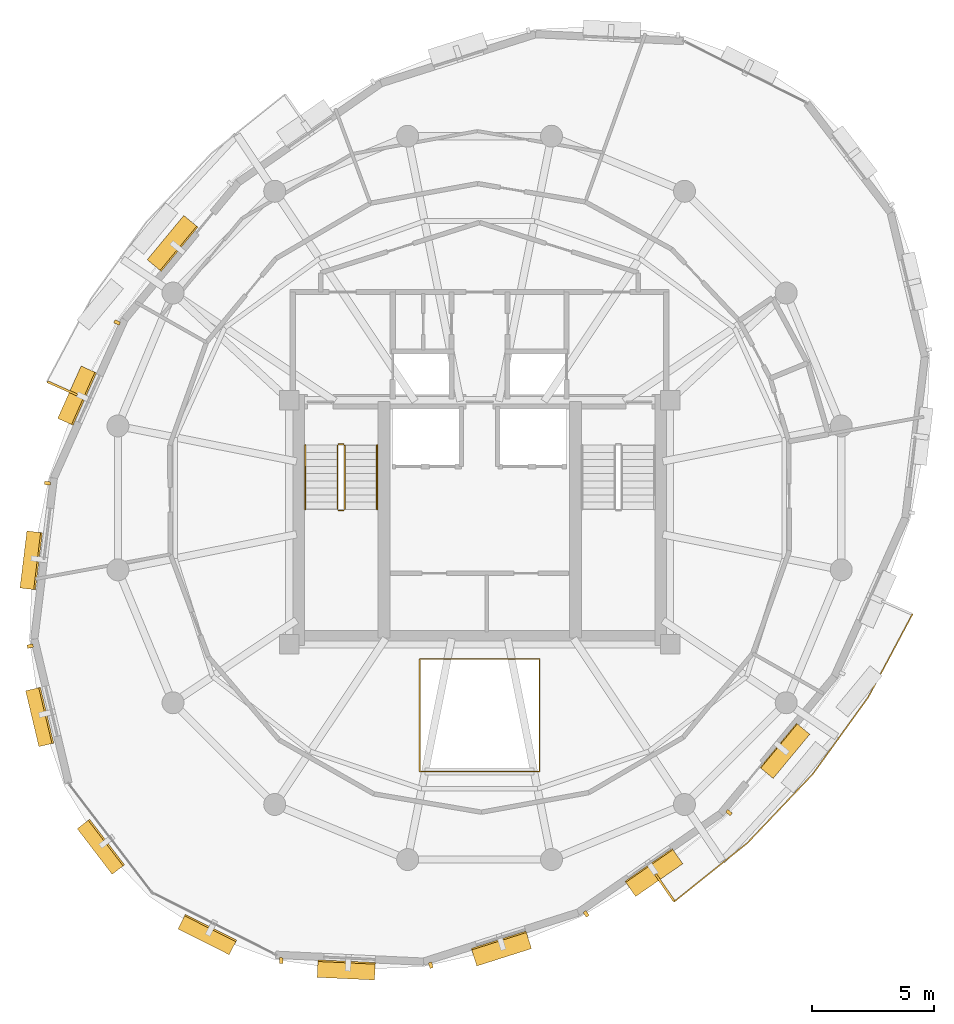
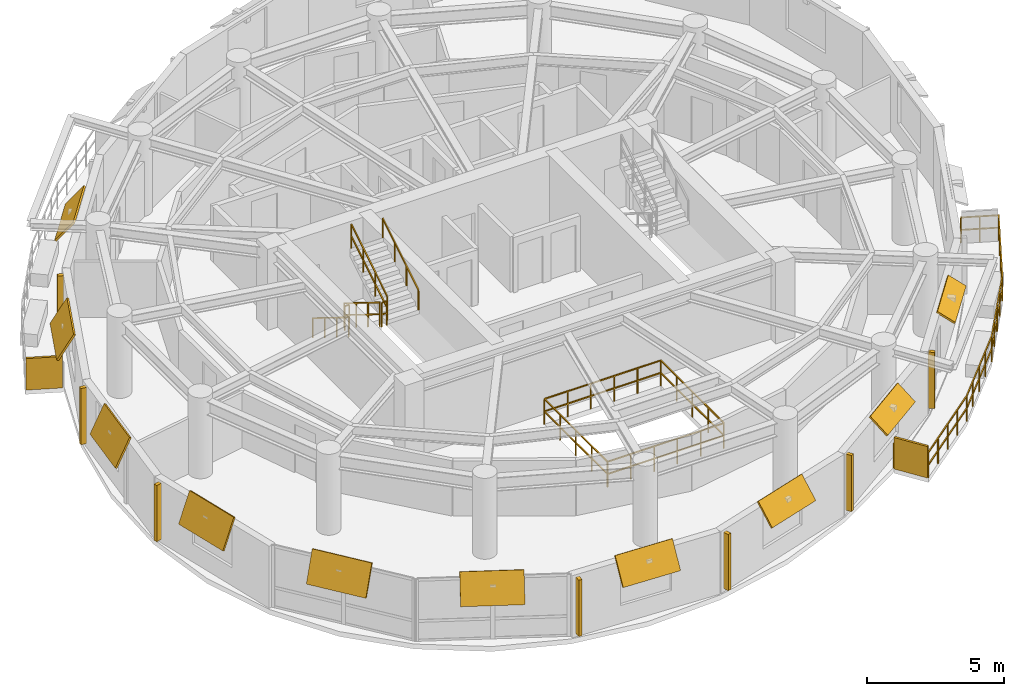
# One storey, part 10 of 11: 19 shading devices, 8 railings.
"""IFC4 building model written with IfcOpenShell, lengths in metres."""

import ifcopenshell
import ifcopenshell.guid

model = None  # the IFC model being written
_history = None  # IfcOwnerHistory: only IFC2X3 demands one
_inside = {}  # id of a spatial element -> (the spatial element, [elements in it])
_under = {}  # id of a project, library or spatial element -> (it, [spatial elements below it])
_declared = {}  # id of a project -> (the project, [libraries it declares])
_typed = {}  # id of a type object -> (the type object, [elements of that type])
_made_of = {}  # id of a material, layer set ... -> (it, [elements and type objects made of it])


def new_model(schema):
    """Start an empty IFC model of exactly this schema.

    Asked for "IFC4X3", IfcOpenShell would pick the latest addendum, in which some entities
    have other attributes; the version numbers below select the first issue.
    IFC2X3 requires an IfcOwnerHistory on every rooted entity: one is made here for all.
    """
    global model, _history
    if schema == "IFC4X3":
        model = ifcopenshell.file(schema_version=(4, 3, 0, 0))
    else:
        model = ifcopenshell.file(schema=schema)
    _inside.clear()
    _under.clear()
    _declared.clear()
    _typed.clear()
    _made_of.clear()
    _history = None
    if model.schema == "IFC2X3":
        org = make("IfcOrganization", Name="unknown")
        user = make(
            "IfcPersonAndOrganization",
            ThePerson=make("IfcPerson", FamilyName="unknown"),
            TheOrganization=org,
        )
        app = make(
            "IfcApplication",
            ApplicationDeveloper=org,
            Version="unknown",
            ApplicationFullName="unknown",
            ApplicationIdentifier="unknown",
        )
        _history = make(
            "IfcOwnerHistory",
            OwningUser=user,
            OwningApplication=app,
            ChangeAction="ADDED",
            CreationDate=0,
        )
    return model


def make(cls, **values):
    """One entity of the class cls with the attributes given. An attribute that is None is left unset."""
    return model.create_entity(
        cls, **{name: value for name, value in values.items() if value is not None}
    )


def rooted(cls, **values):
    """An entity with a GlobalId (a new one), such as an element, a storey or a relation."""
    return make(cls, GlobalId=ifcopenshell.guid.new(), OwnerHistory=_history, **values)


def si_unit(unit_type, name, prefix=None):
    """IfcSIUnit, for example si_unit("LENGTHUNIT", "METRE", prefix="MILLI")."""
    return make("IfcSIUnit", UnitType=unit_type, Prefix=prefix, Name=name)


def assignment(units):
    """IfcUnitAssignment: the units of a project."""
    return None if units is None else make("IfcUnitAssignment", Units=units)


def point(xyz):
    """IfcCartesianPoint."""
    return None if xyz is None else make("IfcCartesianPoint", Coordinates=xyz)


def direction(xyz):
    """IfcDirection."""
    return None if xyz is None else make("IfcDirection", DirectionRatios=xyz)


def frame(location, z_axis=None, x_axis=None):
    """IfcAxis2Placement3D, a coordinate frame: its origin and axes. An axis left out is left unset."""
    return make(
        "IfcAxis2Placement3D",
        Location=point(location),
        Axis=direction(z_axis),
        RefDirection=direction(x_axis),
    )


def frame_2d(location, x_axis=None):
    """IfcAxis2Placement2D, a coordinate frame in the plane: its origin and x axis."""
    return make(
        "IfcAxis2Placement2D", Location=point(location), RefDirection=direction(x_axis)
    )


def origin():
    """The frame at (0, 0, 0) with its axes left unset."""
    return frame((0.0, 0.0, 0.0))


def origin_2d():
    """The frame at (0, 0) in the plane with its x axis left unset."""
    return frame_2d((0.0, 0.0))


def place(relative_to, where):
    """IfcLocalPlacement: puts the frame where relative to a parent placement (None: the world)."""
    return make(
        "IfcLocalPlacement", PlacementRelTo=relative_to, RelativePlacement=where
    )


def context(
    kind, dimensions, precision=None, world=None, true_north=None, identifier=None
):
    """IfcGeometricRepresentationContext, for example the 3D "Model" context."""
    return make(
        "IfcGeometricRepresentationContext",
        ContextIdentifier=identifier,
        ContextType=kind,
        CoordinateSpaceDimension=dimensions,
        Precision=precision,
        WorldCoordinateSystem=world,
        TrueNorth=true_north,
    )


def subcontext(parent, identifier, kind, view, scale=None):
    """IfcGeometricRepresentationSubContext, for example "Body" below "Model"."""
    return make(
        "IfcGeometricRepresentationSubContext",
        ContextIdentifier=identifier,
        ContextType=kind,
        ParentContext=parent,
        TargetScale=scale,
        TargetView=view,
    )


def project(units=None, contexts=None):
    """IfcProject with its units and contexts."""
    return rooted(
        "IfcProject",
        Name="project",
        RepresentationContexts=contexts,
        UnitsInContext=assignment(units),
    )


def spatial(cls, under=None, at=None, **own):
    """A site, building, storey or space (cls), placed at a placement, below another one or the project."""
    s = rooted(cls, ObjectPlacement=at, **own)
    if under is not None:
        _under.setdefault(under.id(), (under, []))[1].append(s)
    return s


def profile(cls, at=None, kind="AREA", **sizes):
    """A parametric profile (cls). Its sizes go by their IFC names, for example OverallWidth=200.0."""
    return make(cls, ProfileType=kind, Position=at, **sizes)


def rectangle(**sizes):
    """IfcRectangleProfileDef."""
    return profile("IfcRectangleProfileDef", **sizes)


def extrude(swept, where, along, depth):
    """IfcExtrudedAreaSolid: the profile swept, set in the frame where, extruded along a direction by depth."""
    return make(
        "IfcExtrudedAreaSolid",
        SweptArea=swept,
        Position=where,
        ExtrudedDirection=direction(along),
        Depth=depth,
    )


def shape(context_of_items, identifier, shape_type, items):
    """IfcShapeRepresentation: the items that make up one representation, for example the "Body"."""
    return make(
        "IfcShapeRepresentation",
        ContextOfItems=context_of_items,
        RepresentationIdentifier=identifier,
        RepresentationType=shape_type,
        Items=items,
    )


def material(Name=None, Category=None):
    """IfcMaterial."""
    return make("IfcMaterial", Name=Name, Category=Category)


def layer(
    of_material, thickness, ventilated=None, Name=None, Category=None, Priority=None
):
    """IfcMaterialLayer: one layer of a wall or slab, of a material (None: an air gap)."""
    return make(
        "IfcMaterialLayer",
        Material=of_material,
        LayerThickness=thickness,
        IsVentilated=ventilated,
        Name=Name,
        Category=Category,
        Priority=Priority,
    )


def layer_set(layers, Name=None):
    """IfcMaterialLayerSet."""
    return make("IfcMaterialLayerSet", MaterialLayers=layers, LayerSetName=Name)


def made_of(thing, what):
    """Note that an element or type object is made of a material, layer set ...; save() writes the relation."""
    if what is not None:
        _made_of.setdefault(what.id(), (what, []))[1].append(thing)
    return thing


def type_object(cls, material=None, **own):
    """A type object (cls), such as IfcWallType, which elements share."""
    return made_of(rooted(cls, **own), material)


def element(
    cls,
    number,
    at=None,
    inside=None,
    cuts=None,
    type_object=None,
    material=None,
    context=None,
    identifier="Body",
    shape_type=None,
    held_by="IfcProductDefinitionShape",
    body=None,
    shapes=None,
    **own,
):
    """One element of the class cls, such as IfcWall. Its Tag is "e" and its number.

    at: its placement. inside: the storey or other place that contains it. cuts: it is an
    opening in that element (IfcRelVoidsElement). A single representation is given by context,
    identifier, shape_type and body (its items); several are given by shapes. held_by: the class
    of the entity that holds the representations. save() writes the other relations.
    """
    e = rooted(cls, Tag="e%d" % number, ObjectPlacement=at, **own)
    if body is not None:
        shapes = [shape(context, identifier, shape_type, body)]
    if shapes is not None:
        e.Representation = make(held_by, Representations=shapes)
    if inside is not None:
        _inside.setdefault(inside.id(), (inside, []))[1].append(e)
    if cuts is not None:
        rooted(
            "IfcRelVoidsElement", RelatingBuildingElement=cuts, RelatedOpeningElement=e
        )
    if type_object is not None:
        _typed.setdefault(type_object.id(), (type_object, []))[1].append(e)
    return made_of(e, material)


def aggregate(whole, parts):
    """IfcRelAggregates: a whole, such as a stair, and the parts it consists of."""
    return rooted("IfcRelAggregates", RelatingObject=whole, RelatedObjects=parts)


def save(model, path):
    """Write the relations noted so far, then the file.

    IfcRelAggregates (storeys below a building ...), IfcRelContainedInSpatialStructure (elements
    in a storey), IfcRelDefinesByType, IfcRelAssociatesMaterial and IfcRelDeclares: one each for
    every whole, place, type object, material and project.
    """
    for whole, parts in _under.values():
        aggregate(whole, parts)
    for where, things in _inside.values():
        rooted(
            "IfcRelContainedInSpatialStructure",
            RelatedElements=things,
            RelatingStructure=where,
        )
    for kind, things in _typed.values():
        rooted("IfcRelDefinesByType", RelatedObjects=things, RelatingType=kind)
    for what, things in _made_of.values():
        rooted("IfcRelAssociatesMaterial", RelatedObjects=things, RelatingMaterial=what)
    for by, libraries in _declared.values():
        rooted("IfcRelDeclares", RelatingContext=by, RelatedDefinitions=libraries)
    model.write(path)


model = new_model("IFC4")

# Units and contexts
model_context = context("Model", 3, precision=1e-05, world=origin(), true_north=direction((0.0, 1.0)))
body_context = subcontext(model_context, "Body", "Model", "MODEL_VIEW")
ifc_project = project(units=[si_unit("LENGTHUNIT", "METRE"), si_unit("AREAUNIT", "SQUARE_METRE"), si_unit("VOLUMEUNIT", "CUBIC_METRE"), si_unit("PLANEANGLEUNIT", "RADIAN"), si_unit("MASSUNIT", "GRAM", prefix="KILO"), si_unit("THERMODYNAMICTEMPERATUREUNIT", "KELVIN"), si_unit("POWERUNIT", "WATT")], contexts=[model_context])

# Site, building, storey
site_placement = place(None, origin())
site = spatial("IfcSite", under=ifc_project, at=site_placement, CompositionType="ELEMENT")
building_placement = place(site_placement, origin())
building = spatial("IfcBuilding", under=site, at=building_placement, Name="Ocrelia Relay Tower", CompositionType="ELEMENT")
storey_placement = place(building_placement, frame((0.0, 0.0, 241.199951171875)))
storey = spatial("IfcBuildingStorey", under=building, at=storey_placement, Name="L59", CompositionType="ELEMENT", Elevation=241.199951171875)

# Railings
ifc_material_1 = material(Name="Steel S355 balustrade", Category="steel")
railing_type_1 = type_object("IfcRailingType", Name="RL-EXT-GUARD-1150", PredefinedType="GUARDRAIL", material=ifc_material_1)
railing_1_placement = place(storey_placement, frame((50.447509765625, 21.796875, 0.0)))
element("IfcRailing", 1, at=railing_1_placement, inside=storey, type_object=railing_type_1, Name="L59 Loggia Balcony Guard Rail B2", PredefinedType="GUARDRAIL", context=body_context, shape_type="SweptSolid", body=[
    extrude(rectangle(XDim=0.048095703125, YDim=0.048095703125, at=origin_2d()), frame((0.0, 0.0, 1.1259765625), z_axis=(0.913760972892, -0.406252242357, 0.0), x_axis=(0.406252242357, 0.913760972892, 0.0)), (0.0, 0.0, 1.0), 1.3935546875),
    extrude(rectangle(XDim=0.048095703125, YDim=0.048095703125, at=origin_2d()), frame((0.0, 0.0, 0.574951171875), z_axis=(0.913760972892, -0.406252242357, 0.0), x_axis=(0.406252242357, 0.913760972892, 0.0)), (0.0, 0.0, 1.0), 1.3935546875),
    extrude(rectangle(XDim=0.048095703125, YDim=0.048095703125, at=origin_2d()), frame((1.2734375, -0.566162109375, 1.1259765625), z_axis=(-0.469545514332, -0.882908268152, 0.0), x_axis=(0.882908268152, -0.469545514332, 0.0)), (0.0, 0.0, 1.0), 1.920654296875),
    extrude(rectangle(XDim=0.048095703125, YDim=0.048095703125, at=origin_2d()), frame((1.2734375, -0.566162109375, 0.574951171875), z_axis=(-0.469545514332, -0.882908268152, 0.0), x_axis=(0.882908268152, -0.469545514332, 0.0)), (0.0, 0.0, 1.0), 1.920654296875),
    extrude(rectangle(XDim=0.048095703125, YDim=0.048095703125, at=origin_2d()), frame((0.37158203125, -2.261962890625, 1.1259765625), z_axis=(-0.46969729686, -0.882827530904, 0.0), x_axis=(0.882827530904, -0.46969729686, 0.0)), (0.0, 0.0, 1.0), 1.920654296875),
    extrude(rectangle(XDim=0.048095703125, YDim=0.048095703125, at=origin_2d()), frame((0.37158203125, -2.261962890625, 0.574951171875), z_axis=(-0.46969729686, -0.882827530904, 0.0), x_axis=(0.882827530904, -0.46969729686, 0.0)), (0.0, 0.0, 1.0), 1.920654296875),
    extrude(rectangle(XDim=0.048095703125, YDim=0.048095703125, at=origin_2d()), frame((-0.530517578125, -3.95751953125, 1.1259765625), z_axis=(-0.585003655998, -0.811030654457, 0.0), x_axis=(0.811030654457, -0.585003655998, 0.0)), (0.0, 0.0, 1.0), 3.882080078125),
    extrude(rectangle(XDim=0.048095703125, YDim=0.048095703125, at=origin_2d()), frame((-0.530517578125, -3.95751953125, 0.574951171875), z_axis=(-0.585003655998, -0.811030654457, 0.0), x_axis=(0.811030654457, -0.585003655998, 0.0)), (0.0, 0.0, 1.0), 3.882080078125),
    extrude(rectangle(XDim=0.048095703125, YDim=0.048095703125, at=origin_2d()), frame((-2.801513671875, -7.10595703125, 1.1259765625), z_axis=(-0.68830965724, -0.72541699439, 0.0), x_axis=(0.72541699439, -0.68830965724, 0.0)), (0.0, 0.0, 1.0), 3.8818359375),
    extrude(rectangle(XDim=0.048095703125, YDim=0.048095703125, at=origin_2d()), frame((-2.801513671875, -7.10595703125, 0.574951171875), z_axis=(-0.68830965724, -0.72541699439, 0.0), x_axis=(0.72541699439, -0.68830965724, 0.0)), (0.0, 0.0, 1.0), 3.8818359375),
    extrude(rectangle(XDim=0.048095703125, YDim=0.048095703125, at=origin_2d()), frame((-5.473388671875, -9.921875, 1.1259765625), z_axis=(-0.780322872437, -0.625376858184, 0.0), x_axis=(0.625376858184, -0.780322872437, 0.0)), (0.0, 0.0, 1.0), 1.920654296875),
    extrude(rectangle(XDim=0.048095703125, YDim=0.048095703125, at=origin_2d()), frame((-5.473388671875, -9.921875, 0.574951171875), z_axis=(-0.780322872437, -0.625376858184, 0.0), x_axis=(0.625376858184, -0.780322872437, 0.0)), (0.0, 0.0, 1.0), 1.920654296875),
    extrude(rectangle(XDim=0.048095703125, YDim=0.048095703125, at=origin_2d()), frame((-6.97216796875, -11.123046875, 1.1259765625), z_axis=(-0.780372576936, -0.625314833636, 0.0), x_axis=(0.625314833636, -0.780372576936, 0.0)), (0.0, 0.0, 1.0), 1.9208984375),
    extrude(rectangle(XDim=0.048095703125, YDim=0.048095703125, at=origin_2d()), frame((-6.97216796875, -11.123046875, 0.574951171875), z_axis=(-0.780372576936, -0.625314833636, 0.0), x_axis=(0.625314833636, -0.780372576936, 0.0)), (0.0, 0.0, 1.0), 1.9208984375),
    extrude(rectangle(XDim=0.048095703125, YDim=0.048095703125, at=origin_2d()), frame((-8.47119140625, -12.32421875, 1.1259765625), z_axis=(-0.568690580372, 0.822551532608, 0.0), x_axis=(-0.822551532608, -0.568690580372, 0.0)), (0.0, 0.0, 1.0), 1.3935546875),
    extrude(rectangle(XDim=0.048095703125, YDim=0.048095703125, at=origin_2d()), frame((-8.47119140625, -12.32421875, 0.574951171875), z_axis=(-0.568690580372, 0.822551532608, 0.0), x_axis=(-0.822551532608, -0.568690580372, 0.0)), (0.0, 0.0, 1.0), 1.3935546875),
    extrude(rectangle(XDim=0.0419921875, YDim=0.0419921875, at=origin_2d()), origin(), (0.0, 0.0, 1.0), 1.101806640625),
    extrude(rectangle(XDim=0.0419921875, YDim=0.0419921875, at=origin_2d()), frame((0.63671875, -0.283203125, 0.0)), (0.0, 0.0, 1.0), 1.101806640625),
    extrude(rectangle(XDim=0.0419921875, YDim=0.0419921875, at=origin_2d()), frame((1.2734375, -0.566162109375, 0.0)), (0.0, 0.0, 1.0), 1.101806640625),
    extrude(rectangle(XDim=0.0419921875, YDim=0.0419921875, at=origin_2d()), frame((0.822509765625, -1.4140625, 0.0)), (0.0, 0.0, 1.0), 1.101806640625),
    extrude(rectangle(XDim=0.0419921875, YDim=0.0419921875, at=origin_2d()), frame((0.37158203125, -2.261962890625, 0.0)), (0.0, 0.0, 1.0), 1.101806640625),
    extrude(rectangle(XDim=0.0419921875, YDim=0.0419921875, at=origin_2d()), frame((-0.07958984375, -3.10986328125, 0.0)), (0.0, 0.0, 1.0), 1.101806640625),
    extrude(rectangle(XDim=0.0419921875, YDim=0.0419921875, at=origin_2d()), frame((-0.530517578125, -3.95751953125, 0.0)), (0.0, 0.0, 1.0), 1.101806640625),
    extrude(rectangle(XDim=0.0419921875, YDim=0.0419921875, at=origin_2d()), frame((-1.09814453125, -4.74462890625, 0.0)), (0.0, 0.0, 1.0), 1.101806640625),
    extrude(rectangle(XDim=0.0419921875, YDim=0.0419921875, at=origin_2d()), frame((-1.666015625, -5.53173828125, 0.0)), (0.0, 0.0, 1.0), 1.101806640625),
    extrude(rectangle(XDim=0.0419921875, YDim=0.0419921875, at=origin_2d()), frame((-2.23388671875, -6.31884765625, 0.0)), (0.0, 0.0, 1.0), 1.101806640625),
    extrude(rectangle(XDim=0.0419921875, YDim=0.0419921875, at=origin_2d()), frame((-2.801513671875, -7.10595703125, 0.0)), (0.0, 0.0, 1.0), 1.101806640625),
    extrude(rectangle(XDim=0.0419921875, YDim=0.0419921875, at=origin_2d()), frame((-3.469482421875, -7.81005859375, 0.0)), (0.0, 0.0, 1.0), 1.101806640625),
    extrude(rectangle(XDim=0.0419921875, YDim=0.0419921875, at=origin_2d()), frame((-4.137451171875, -8.513916015625, 0.0)), (0.0, 0.0, 1.0), 1.101806640625),
    extrude(rectangle(XDim=0.0419921875, YDim=0.0419921875, at=origin_2d()), frame((-4.805419921875, -9.2177734375, 0.0)), (0.0, 0.0, 1.0), 1.101806640625),
    extrude(rectangle(XDim=0.0419921875, YDim=0.0419921875, at=origin_2d()), frame((-5.473388671875, -9.921875, 0.0)), (0.0, 0.0, 1.0), 1.101806640625),
    extrude(rectangle(XDim=0.0419921875, YDim=0.0419921875, at=origin_2d()), frame((-6.22265625, -10.5224609375, 0.0)), (0.0, 0.0, 1.0), 1.101806640625),
    extrude(rectangle(XDim=0.0419921875, YDim=0.0419921875, at=origin_2d()), frame((-6.97216796875, -11.123046875, 0.0)), (0.0, 0.0, 1.0), 1.101806640625),
    extrude(rectangle(XDim=0.0419921875, YDim=0.0419921875, at=origin_2d()), frame((-7.7216796875, -11.7236328125, 0.0)), (0.0, 0.0, 1.0), 1.101806640625),
    extrude(rectangle(XDim=0.0419921875, YDim=0.0419921875, at=origin_2d()), frame((-8.47119140625, -12.32421875, 0.0)), (0.0, 0.0, 1.0), 1.101806640625),
    extrude(rectangle(XDim=0.0419921875, YDim=0.0419921875, at=origin_2d()), frame((-8.867431640625, -11.7509765625, 0.0)), (0.0, 0.0, 1.0), 1.101806640625),
    extrude(rectangle(XDim=0.0419921875, YDim=0.0419921875, at=origin_2d()), frame((-9.263671875, -11.177978515625, 0.0)), (0.0, 0.0, 1.0), 1.101806640625),
])
ifc_material_2 = material(Name="Steel S355 atrium balustrade", Category="steel")
railing_type_2 = type_object("IfcRailingType", Name="RL-INT-GUARD-115", PredefinedType="GUARDRAIL", material=ifc_material_2)
railing_2_placement = place(storey_placement, frame((31.550048828125, 14.800048828125, 0.0)))
element("IfcRailing", 2, at=railing_2_placement, inside=storey, type_object=railing_type_2, Name="L59 Multi-Zone Interior Atrium Guard", PredefinedType="GUARDRAIL", context=body_context, shape_type="SweptSolid", body=[
    extrude(rectangle(XDim=0.048095703125, YDim=0.048095703125, at=origin_2d()), frame((0.0, 0.0, 1.1259765625), z_axis=(1.0, 0.0, 0.0), x_axis=(0.0, 1.0, 0.0)), (0.0, 0.0, 1.0), 4.89990234375),
    extrude(rectangle(XDim=0.048095703125, YDim=0.048095703125, at=origin_2d()), frame((0.0, 0.0, 0.574951171875), z_axis=(1.0, 0.0, 0.0), x_axis=(0.0, 1.0, 0.0)), (0.0, 0.0, 1.0), 4.89990234375),
    extrude(rectangle(XDim=0.048095703125, YDim=0.048095703125, at=origin_2d()), frame((4.89990234375, 0.0, 1.1259765625), z_axis=(0.0, 1.0, 0.0), x_axis=(-1.0, 0.0, 0.0)), (0.0, 0.0, 1.0), 4.599853515625),
    extrude(rectangle(XDim=0.048095703125, YDim=0.048095703125, at=origin_2d()), frame((4.89990234375, 0.0, 0.574951171875), z_axis=(0.0, 1.0, 0.0), x_axis=(-1.0, 0.0, 0.0)), (0.0, 0.0, 1.0), 4.599853515625),
    extrude(rectangle(XDim=0.048095703125, YDim=0.048095703125, at=origin_2d()), frame((4.89990234375, 4.599853515625, 1.1259765625), z_axis=(-1.0, 0.0, 0.0), x_axis=(0.0, -1.0, 0.0)), (0.0, 0.0, 1.0), 4.89990234375),
    extrude(rectangle(XDim=0.048095703125, YDim=0.048095703125, at=origin_2d()), frame((4.89990234375, 4.599853515625, 0.574951171875), z_axis=(-1.0, 0.0, 0.0), x_axis=(0.0, -1.0, 0.0)), (0.0, 0.0, 1.0), 4.89990234375),
    extrude(rectangle(XDim=0.048095703125, YDim=0.048095703125, at=origin_2d()), frame((0.0, 4.599853515625, 1.1259765625), z_axis=(0.0, -1.0, 0.0), x_axis=(1.0, 0.0, 0.0)), (0.0, 0.0, 1.0), 4.599853515625),
    extrude(rectangle(XDim=0.048095703125, YDim=0.048095703125, at=origin_2d()), frame((0.0, 4.599853515625, 0.574951171875), z_axis=(0.0, -1.0, 0.0), x_axis=(1.0, 0.0, 0.0)), (0.0, 0.0, 1.0), 4.599853515625),
    extrude(rectangle(XDim=0.0419921875, YDim=0.0419921875, at=origin_2d()), origin(), (0.0, 0.0, 1.0), 1.101806640625),
    extrude(rectangle(XDim=0.0419921875, YDim=0.0419921875, at=origin_2d()), frame((0.97998046875, 0.0, 0.0)), (0.0, 0.0, 1.0), 1.101806640625),
    extrude(rectangle(XDim=0.0419921875, YDim=0.0419921875, at=origin_2d()), frame((1.9599609375, 0.0, 0.0)), (0.0, 0.0, 1.0), 1.101806640625),
    extrude(rectangle(XDim=0.0419921875, YDim=0.0419921875, at=origin_2d()), frame((2.93994140625, 0.0, 0.0)), (0.0, 0.0, 1.0), 1.101806640625),
    extrude(rectangle(XDim=0.0419921875, YDim=0.0419921875, at=origin_2d()), frame((3.919921875, 0.0, 0.0)), (0.0, 0.0, 1.0), 1.101806640625),
    extrude(rectangle(XDim=0.0419921875, YDim=0.0419921875, at=origin_2d()), frame((4.89990234375, 0.0, 0.0)), (0.0, 0.0, 1.0), 1.101806640625),
    extrude(rectangle(XDim=0.0419921875, YDim=0.0419921875, at=origin_2d()), frame((4.89990234375, 1.14990234375, 0.0)), (0.0, 0.0, 1.0), 1.101806640625),
    extrude(rectangle(XDim=0.0419921875, YDim=0.0419921875, at=origin_2d()), frame((4.89990234375, 2.2998046875, 0.0)), (0.0, 0.0, 1.0), 1.101806640625),
    extrude(rectangle(XDim=0.0419921875, YDim=0.0419921875, at=origin_2d()), frame((4.89990234375, 3.449951171875, 0.0)), (0.0, 0.0, 1.0), 1.101806640625),
    extrude(rectangle(XDim=0.0419921875, YDim=0.0419921875, at=origin_2d()), frame((4.89990234375, 4.599853515625, 0.0)), (0.0, 0.0, 1.0), 1.101806640625),
    extrude(rectangle(XDim=0.0419921875, YDim=0.0419921875, at=origin_2d()), frame((3.919921875, 4.599853515625, 0.0)), (0.0, 0.0, 1.0), 1.101806640625),
    extrude(rectangle(XDim=0.0419921875, YDim=0.0419921875, at=origin_2d()), frame((2.93994140625, 4.599853515625, 0.0)), (0.0, 0.0, 1.0), 1.101806640625),
    extrude(rectangle(XDim=0.0419921875, YDim=0.0419921875, at=origin_2d()), frame((1.9599609375, 4.599853515625, 0.0)), (0.0, 0.0, 1.0), 1.101806640625),
    extrude(rectangle(XDim=0.0419921875, YDim=0.0419921875, at=origin_2d()), frame((0.97998046875, 4.599853515625, 0.0)), (0.0, 0.0, 1.0), 1.101806640625),
    extrude(rectangle(XDim=0.0419921875, YDim=0.0419921875, at=origin_2d()), frame((0.0, 4.599853515625, 0.0)), (0.0, 0.0, 1.0), 1.101806640625),
    extrude(rectangle(XDim=0.0419921875, YDim=0.0419921875, at=origin_2d()), frame((0.0, 3.449951171875, 0.0)), (0.0, 0.0, 1.0), 1.101806640625),
    extrude(rectangle(XDim=0.0419921875, YDim=0.0419921875, at=origin_2d()), frame((0.0, 2.2998046875, 0.0)), (0.0, 0.0, 1.0), 1.101806640625),
    extrude(rectangle(XDim=0.0419921875, YDim=0.0419921875, at=origin_2d()), frame((0.0, 1.14990234375, 0.0)), (0.0, 0.0, 1.0), 1.101806640625),
])
railing_type_3 = type_object("IfcRailingType", Name="RL-STAIR-GUARD", PredefinedType="GUARDRAIL", material=ifc_material_1)
railing_3_placement = place(storey_placement, frame((28.179931640625, 28.14990234375, 0.179931640625)))
element("IfcRailing", 3, at=railing_3_placement, inside=storey, type_object=railing_type_3, Name="L59 ST1 stair guard 1", PredefinedType="GUARDRAIL", context=body_context, shape_type="SweptSolid", body=[
    extrude(rectangle(XDim=0.048095703125, YDim=0.048095703125, at=origin_2d()), frame((0.0, 0.0, 1.076171875), z_axis=(0.0, -0.849610693518, 0.52741034258), x_axis=(1.0, 0.0, 0.0)), (0.0, 0.0, 1.0), 3.07177734375),
    extrude(rectangle(XDim=0.048095703125, YDim=0.048095703125, at=origin_2d()), frame((0.0, 0.0, 0.550048828125), z_axis=(0.0, -0.849610693518, 0.52741034258), x_axis=(1.0, 0.0, 0.0)), (0.0, 0.0, 1.0), 3.07177734375),
    extrude(rectangle(XDim=0.0419921875, YDim=0.0419921875, at=origin_2d()), origin(), (0.0, 0.0, 1.0), 1.052001953125),
    extrude(rectangle(XDim=0.0419921875, YDim=0.0419921875, at=origin_2d()), frame((0.0, -0.869873046875, 0.5400390625)), (0.0, 0.0, 1.0), 1.052001953125),
    extrude(rectangle(XDim=0.0419921875, YDim=0.0419921875, at=origin_2d()), frame((0.0, -1.739990234375, 1.080078125)), (0.0, 0.0, 1.0), 1.052001953125),
    extrude(rectangle(XDim=0.0419921875, YDim=0.0419921875, at=origin_2d()), frame((0.0, -2.60986328125, 1.6201171875)), (0.0, 0.0, 1.0), 1.052001953125),
])
railing_4_placement = place(storey_placement, frame((28.22998046875, 25.489990234375, 1.800048828125)))
element("IfcRailing", 4, at=railing_4_placement, inside=storey, type_object=railing_type_3, Name="L59 ST1 stair guard 2", PredefinedType="GUARDRAIL", context=body_context, shape_type="SweptSolid", body=[
    extrude(rectangle(XDim=0.048095703125, YDim=0.048095703125, at=origin_2d()), frame((0.0, 0.0, 1.076171875), z_axis=(1.0, 0.0, 0.0), x_axis=(0.0, 1.0, 0.0)), (0.0, 0.0, 1.0), 0.199951171875),
    extrude(rectangle(XDim=0.048095703125, YDim=0.048095703125, at=origin_2d()), frame((0.0, 0.0, 0.550048828125), z_axis=(1.0, 0.0, 0.0), x_axis=(0.0, 1.0, 0.0)), (0.0, 0.0, 1.0), 0.199951171875),
    extrude(rectangle(XDim=0.0419921875, YDim=0.0419921875, at=origin_2d()), origin(), (0.0, 0.0, 1.0), 1.052001953125),
    extrude(rectangle(XDim=0.0419921875, YDim=0.0419921875, at=origin_2d()), frame((0.199951171875, 0.0, 0.0)), (0.0, 0.0, 1.0), 1.052001953125),
])
railing_5_placement = place(storey_placement, frame((28.47998046875, 25.5400390625, 1.97998046875)))
element("IfcRailing", 5, at=railing_5_placement, inside=storey, type_object=railing_type_3, Name="L59 ST1 stair guard 3", PredefinedType="GUARDRAIL", context=body_context, shape_type="SweptSolid", body=[
    extrude(rectangle(XDim=0.048095703125, YDim=0.048095703125, at=origin_2d()), frame((0.0, 0.0, 1.076171875), z_axis=(0.0, 0.849610693518, 0.52741034258), x_axis=(-1.0, 0.0, 0.0)), (0.0, 0.0, 1.0), 3.07177734375),
    extrude(rectangle(XDim=0.048095703125, YDim=0.048095703125, at=origin_2d()), frame((0.0, 0.0, 0.550048828125), z_axis=(0.0, 0.849610693518, 0.52741034258), x_axis=(-1.0, 0.0, 0.0)), (0.0, 0.0, 1.0), 3.07177734375),
    extrude(rectangle(XDim=0.0419921875, YDim=0.0419921875, at=origin_2d()), origin(), (0.0, 0.0, 1.0), 1.052001953125),
    extrude(rectangle(XDim=0.0419921875, YDim=0.0419921875, at=origin_2d()), frame((0.0, 0.869873046875, 0.5400390625)), (0.0, 0.0, 1.0), 1.052001953125),
    extrude(rectangle(XDim=0.0419921875, YDim=0.0419921875, at=origin_2d()), frame((0.0, 1.739990234375, 1.080078125)), (0.0, 0.0, 1.0), 1.052001953125),
    extrude(rectangle(XDim=0.0419921875, YDim=0.0419921875, at=origin_2d()), frame((0.0, 2.60986328125, 1.6201171875)), (0.0, 0.0, 1.0), 1.052001953125),
])
railing_6_placement = place(storey_placement, frame((28.22998046875, 28.199951171875, 0.0)))
element("IfcRailing", 6, at=railing_6_placement, inside=storey, type_object=railing_type_3, Name="L59 ST1 stair guard 4", PredefinedType="GUARDRAIL", context=body_context, shape_type="SweptSolid", body=[
    extrude(rectangle(XDim=0.048095703125, YDim=0.048095703125, at=origin_2d()), frame((0.0, 0.0, 1.076171875), z_axis=(1.0, 0.0, 0.0), x_axis=(0.0, 1.0, 0.0)), (0.0, 0.0, 1.0), 0.199951171875),
    extrude(rectangle(XDim=0.048095703125, YDim=0.048095703125, at=origin_2d()), frame((0.0, 0.0, 0.550048828125), z_axis=(1.0, 0.0, 0.0), x_axis=(0.0, 1.0, 0.0)), (0.0, 0.0, 1.0), 0.199951171875),
    extrude(rectangle(XDim=0.0419921875, YDim=0.0419921875, at=origin_2d()), origin(), (0.0, 0.0, 1.0), 1.052001953125),
    extrude(rectangle(XDim=0.0419921875, YDim=0.0419921875, at=origin_2d()), frame((0.199951171875, 0.0, 0.0)), (0.0, 0.0, 1.0), 1.052001953125),
])
ifc_material_3 = material(Name="Steel S355 tubular handrail", Category="steel")
railing_type_4 = type_object("IfcRailingType", Name="RL-STAIR-HAND", PredefinedType="HANDRAIL", material=ifc_material_3)
railing_7_placement = place(storey_placement, frame((26.860107421875, 28.14990234375, 0.179931640625)))
element("IfcRailing", 7, at=railing_7_placement, inside=storey, type_object=railing_type_4, Name="L59 ST1 stair handrail 1", PredefinedType="HANDRAIL", context=body_context, shape_type="SweptSolid", body=[
    extrude(rectangle(XDim=0.048095703125, YDim=0.048095703125, at=origin_2d()), frame((0.0, 0.0, 0.8759765625), z_axis=(0.0, -0.849610693518, 0.52741034258), x_axis=(1.0, 0.0, 0.0)), (0.0, 0.0, 1.0), 3.07177734375),
    extrude(rectangle(XDim=0.0419921875, YDim=0.0419921875, at=origin_2d()), origin(), (0.0, 0.0, 1.0), 0.851806640625),
    extrude(rectangle(XDim=0.0419921875, YDim=0.0419921875, at=origin_2d()), frame((0.0, -0.869873046875, 0.5400390625)), (0.0, 0.0, 1.0), 0.851806640625),
    extrude(rectangle(XDim=0.0419921875, YDim=0.0419921875, at=origin_2d()), frame((0.0, -1.739990234375, 1.080078125)), (0.0, 0.0, 1.0), 0.851806640625),
    extrude(rectangle(XDim=0.0419921875, YDim=0.0419921875, at=origin_2d()), frame((0.0, -2.60986328125, 1.6201171875)), (0.0, 0.0, 1.0), 0.851806640625),
])
railing_8_placement = place(storey_placement, frame((29.800048828125, 25.5400390625, 1.97998046875)))
element("IfcRailing", 8, at=railing_8_placement, inside=storey, type_object=railing_type_4, Name="L59 ST1 stair handrail 2", PredefinedType="HANDRAIL", context=body_context, shape_type="SweptSolid", body=[
    extrude(rectangle(XDim=0.048095703125, YDim=0.048095703125, at=origin_2d()), frame((0.0, 0.0, 0.8759765625), z_axis=(0.0, 0.849610693518, 0.52741034258), x_axis=(-1.0, 0.0, 0.0)), (0.0, 0.0, 1.0), 3.07177734375),
    extrude(rectangle(XDim=0.0419921875, YDim=0.0419921875, at=origin_2d()), origin(), (0.0, 0.0, 1.0), 0.851806640625),
    extrude(rectangle(XDim=0.0419921875, YDim=0.0419921875, at=origin_2d()), frame((0.0, 0.869873046875, 0.5400390625)), (0.0, 0.0, 1.0), 0.851806640625),
    extrude(rectangle(XDim=0.0419921875, YDim=0.0419921875, at=origin_2d()), frame((0.0, 1.739990234375, 1.080078125)), (0.0, 0.0, 1.0), 0.851806640625),
    extrude(rectangle(XDim=0.0419921875, YDim=0.0419921875, at=origin_2d()), frame((0.0, 2.60986328125, 1.6201171875)), (0.0, 0.0, 1.0), 0.851806640625),
])

# Shading devices
ifc_material_4 = material(Name="Perforated oxide terracotta solar screen", Category="masonry")
ifc_layer_1 = layer(ifc_material_4, 0.090087890625, Name="Perforated oxide terracotta solar screen")
ifc_layer_set_1 = layer_set([ifc_layer_1], Name="Perforated oxide terracotta solar screen")
shading_device_type_1 = type_object("IfcShadingDeviceType", Name="SH-BALC-SCREEN", PredefinedType="USERDEFINED", material=ifc_layer_set_1)
for number, where, z_axis, x_axis, name in (
    (9, (16.915771484375, 30.486083984375, 0.0), (0.0, 0.0, 1.0), (-0.913761233364, 0.40625165649, 0.0), "L59 Balcony Perforated Terracotta Screen B1-2"),
    (10, (41.580078125, 10.045654296875, 0.0), (0.0, 0.0, 1.0), (0.568795688991, -0.822478853336, 0.0), "L59 Balcony Perforated Terracotta Screen B2-1"),
):
    element("IfcShadingDevice", number, at=place(storey_placement, frame(where, z_axis=z_axis, x_axis=x_axis)), inside=storey, type_object=shading_device_type_1, Name=name, ObjectType="SCREEN", PredefinedType="USERDEFINED", context=body_context, shape_type="SweptSolid", body=[
        extrude(rectangle(XDim=1.340087890625, YDim=0.090087890625, at=origin_2d()), origin(), (0.0, 0.0, 1.0), 1.39990234375),
    ])
ifc_material_5 = material(Name="Extruded oxide terracotta vertical baguette", Category="masonry")
shading_device_type_2 = type_object("IfcShadingDeviceType", Name="SH-TERR-BAGUETTE", PredefinedType="USERDEFINED", material=ifc_material_5)
for number, where, z_axis, x_axis, name in (
    (11, (19.1572265625, 33.18408203125, 0.130126953125), (0.0, 0.0, 1.0), (-0.407663605571, -0.913132183582, 0.0), "L59 Oxide Terracotta Vertical Baguette 06"),
    (12, (16.307373046875, 26.601806640625, 0.130126953125), (0.0, 0.0, 1.0), (-0.120078267848, -0.992764428045, 0.0), "L59 Oxide Terracotta Vertical Baguette 07"),
    (13, (15.598388671875, 19.9306640625, 0.130126953125), (0.0, 0.0, 1.0), (0.23120047848, -0.972906130493, 0.0), "L59 Oxide Terracotta Vertical Baguette 08"),
    (14, (25.876953125, 7.051513671875, 0.130126953125), (0.0, 0.0, 1.0), (0.998916575596, -0.046536813373, 0.0), "L59 Oxide Terracotta Vertical Baguette 11"),
    (15, (32.00146484375, 6.863525390625, 0.130126953125), (0.0, 0.0, 1.0), (0.953209056413, 0.302311916358, 0.0), "L59 Oxide Terracotta Vertical Baguette 12"),
    (16, (38.36376953125, 8.96630859375, 0.130126953125), (0.0, 0.0, 1.0), (0.8215637972, 0.570116590822, 0.0), "L59 Oxide Terracotta Vertical Baguette 13"),
    (17, (44.211181640625, 13.113037109375, 0.130126953125), (0.0, 0.0, 1.0), (0.638095676006, 0.769957082091, 0.0), "L59 Oxide Terracotta Vertical Baguette 14"),
):
    element("IfcShadingDevice", number, at=place(storey_placement, frame(where, z_axis=z_axis, x_axis=x_axis)), inside=storey, type_object=shading_device_type_2, Name=name, ObjectType="BAGUETTE", PredefinedType="USERDEFINED", context=body_context, shape_type="SweptSolid", body=[
        extrude(rectangle(XDim=0.139892578125, YDim=0.239990234375, at=origin_2d()), origin(), (0.0, 0.0, 1.0), 2.5),
    ])
ifc_material_6 = material(Name="Extruded oxide terracotta fin", Category="masonry")
ifc_layer_2 = layer(ifc_material_6, 0.080078125, Name="Extruded oxide terracotta fin")
ifc_layer_set_2 = layer_set([ifc_layer_2], Name="Extruded oxide terracotta fin")
shading_device_type_3 = type_object("IfcShadingDeviceType", Name="SH-VISOR-FIN-DEEP", PredefinedType="USERDEFINED", material=ifc_layer_set_2)
shading_device_1_placement = place(storey_placement, frame((17.549560546875, 30.173095703125, 2.580322265625), z_axis=(-0.795376848987, 0.355092285516, 0.491207834691), x_axis=(-0.407663605571, -0.913132183582, 0.0)))
element("IfcShadingDevice", 18, at=shading_device_1_placement, inside=storey, type_object=shading_device_type_3, Name="L59 Canted Terracotta Sun-Visor Fin 06", ObjectType="FIN", PredefinedType="USERDEFINED", context=body_context, shape_type="SweptSolid", body=[
    extrude(rectangle(XDim=2.35009765625, YDim=1.260009765625, at=origin_2d()), origin(), (0.0, 0.0, 1.0), 0.080078125),
])
shading_device_2_placement = place(storey_placement, frame((15.673583984375, 23.43701171875, 2.583251953125), z_axis=(-0.899310275968, 0.108774667127, 0.423567113136), x_axis=(-0.120078267848, -0.992764428045, 0.0)))
element("IfcShadingDevice", 19, at=shading_device_2_placement, inside=storey, type_object=shading_device_type_3, Name="L59 Canted Terracotta Sun-Visor Fin 07", ObjectType="FIN", PredefinedType="USERDEFINED", context=body_context, shape_type="SweptSolid", body=[
    extrude(rectangle(XDim=2.35009765625, YDim=1.33203125, at=origin_2d()), origin(), (0.0, 0.0, 1.0), 0.080078125),
])
shading_device_3_placement = place(storey_placement, frame((16.021728515625, 17.037353515625, 2.583740234375), z_axis=(-0.888724897117, -0.211195731027, 0.406896080641), x_axis=(0.23120047848, -0.972906130493, 0.0)))
element("IfcShadingDevice", 20, at=shading_device_3_placement, inside=storey, type_object=shading_device_type_3, Name="L59 Canted Terracotta Sun-Visor Fin 08", ObjectType="FIN", PredefinedType="USERDEFINED", context=body_context, shape_type="SweptSolid", body=[
    extrude(rectangle(XDim=2.35009765625, YDim=1.35009765625, at=origin_2d()), origin(), (0.0, 0.0, 1.0), 0.080078125),
])
shading_device_4_placement = place(storey_placement, frame((18.521240234375, 11.736328125, 2.5830078125), z_axis=(-0.719239623356, -0.549860678908, 0.42467351929), x_axis=(0.607348280111, -0.794435690693, 0.0)))
element("IfcShadingDevice", 21, at=shading_device_4_placement, inside=storey, type_object=shading_device_type_3, Name="L59 Canted Terracotta Sun-Visor Fin 09", ObjectType="FIN", PredefinedType="USERDEFINED", context=body_context, shape_type="SweptSolid", body=[
    extrude(rectangle(XDim=2.35009765625, YDim=1.3310546875, at=origin_2d()), origin(), (0.0, 0.0, 1.0), 0.080078125),
])
shading_device_5_placement = place(storey_placement, frame((22.86474609375, 8.15234375, 2.581298828125), z_axis=(-0.397137436564, -0.789691194378, 0.467621293358), x_axis=(0.893387671077, -0.449286622511, 0.0)))
element("IfcShadingDevice", 22, at=shading_device_5_placement, inside=storey, type_object=shading_device_type_3, Name="L59 Canted Terracotta Sun-Visor Fin 10", ObjectType="FIN", PredefinedType="USERDEFINED", context=body_context, shape_type="SweptSolid", body=[
    extrude(rectangle(XDim=2.35009765625, YDim=1.284912109375, at=origin_2d()), origin(), (0.0, 0.0, 1.0), 0.080078125),
])
shading_device_6_placement = place(storey_placement, frame((28.541259765625, 6.70458984375, 2.57861328125), z_axis=(-0.039322766433, -0.844066457087, 0.534794854183), x_axis=(0.998916575596, -0.046536813373, 0.0)))
element("IfcShadingDevice", 23, at=shading_device_6_placement, inside=storey, type_object=shading_device_type_3, Name="L59 Canted Terracotta Sun-Visor Fin 11", ObjectType="FIN", PredefinedType="USERDEFINED", context=body_context, shape_type="SweptSolid", body=[
    extrude(rectangle(XDim=2.35009765625, YDim=1.2109375, at=origin_2d()), origin(), (0.0, 0.0, 1.0), 0.080078125),
])
ifc_layer_3 = layer(ifc_material_6, 0.080078125, Name="Extruded oxide terracotta fin")
ifc_layer_set_3 = layer_set([ifc_layer_3], Name="Extruded oxide terracotta fin")
shading_device_type_4 = type_object("IfcShadingDeviceType", Name="SH-VISOR-FIN-MED", PredefinedType="USERDEFINED", material=ifc_layer_set_3)
shading_device_7_placement = place(storey_placement, frame((21.451416015625, 36.3994140625, 2.57568359375), z_axis=(-0.609043768106, 0.504740074436, 0.611803192039), x_axis=(-0.638095676006, -0.769957082091, 0.0)))
element("IfcShadingDevice", 24, at=shading_device_7_placement, inside=storey, type_object=shading_device_type_4, Name="L59 Canted Terracotta Sun-Visor Fin 05", ObjectType="FIN", PredefinedType="USERDEFINED", context=body_context, shape_type="SweptSolid", body=[
    extrude(rectangle(XDim=2.35009765625, YDim=1.12109375, at=origin_2d()), origin(), (0.0, 0.0, 1.0), 0.080078125),
])
shading_device_8_placement = place(storey_placement, frame((34.882568359375, 7.576416015625, 2.574951171875), z_axis=(0.23520589638, -0.741619428213, 0.628234677493), x_axis=(0.953209056413, 0.302311916358, 0.0)))
element("IfcShadingDevice", 25, at=shading_device_8_placement, inside=storey, type_object=shading_device_type_4, Name="L59 Canted Terracotta Sun-Visor Fin 12", ObjectType="FIN", PredefinedType="USERDEFINED", context=body_context, shape_type="SweptSolid", body=[
    extrude(rectangle(XDim=2.35009765625, YDim=1.10107421875, at=origin_2d()), origin(), (0.0, 0.0, 1.0), 0.080078125),
])
shading_device_9_placement = place(storey_placement, frame((41.12255859375, 10.682373046875, 2.5703125), z_axis=(0.381630328806, -0.54994656726, 0.742911209563), x_axis=(0.8215637972, 0.570116590822, 0.0)))
element("IfcShadingDevice", 26, at=shading_device_9_placement, inside=storey, type_object=shading_device_type_4, Name="L59 Canted Terracotta Sun-Visor Fin 13", ObjectType="FIN", PredefinedType="USERDEFINED", context=body_context, shape_type="SweptSolid", body=[
    extrude(rectangle(XDim=2.35009765625, YDim=0.949951171875, at=origin_2d()), origin(), (0.0, 0.0, 1.0), 0.080078125),
])
ifc_layer_4 = layer(ifc_material_6, 0.080078125, Name="Extruded oxide terracotta fin")
ifc_layer_set_4 = layer_set([ifc_layer_4], Name="Extruded oxide terracotta fin")
shading_device_type_5 = type_object("IfcShadingDeviceType", Name="SH-VISOR-FIN-SHAL", PredefinedType="USERDEFINED", material=ifc_layer_set_4)
shading_device_10_placement = place(storey_placement, frame((46.48291015625, 15.655029296875, 2.56591796875), z_axis=(0.404819263391, -0.335490675444, 0.850627633385), x_axis=(0.638095676006, 0.769957082091, 0.0)))
element("IfcShadingDevice", 27, at=shading_device_10_placement, inside=storey, type_object=shading_device_type_5, Name="L59 Canted Terracotta Sun-Visor Fin 14", ObjectType="FIN", PredefinedType="USERDEFINED", context=body_context, shape_type="SweptSolid", body=[
    extrude(rectangle(XDim=2.35009765625, YDim=0.779052734375, at=origin_2d()), origin(), (0.0, 0.0, 1.0), 0.080078125),
])

save(model, "model.ifc")
